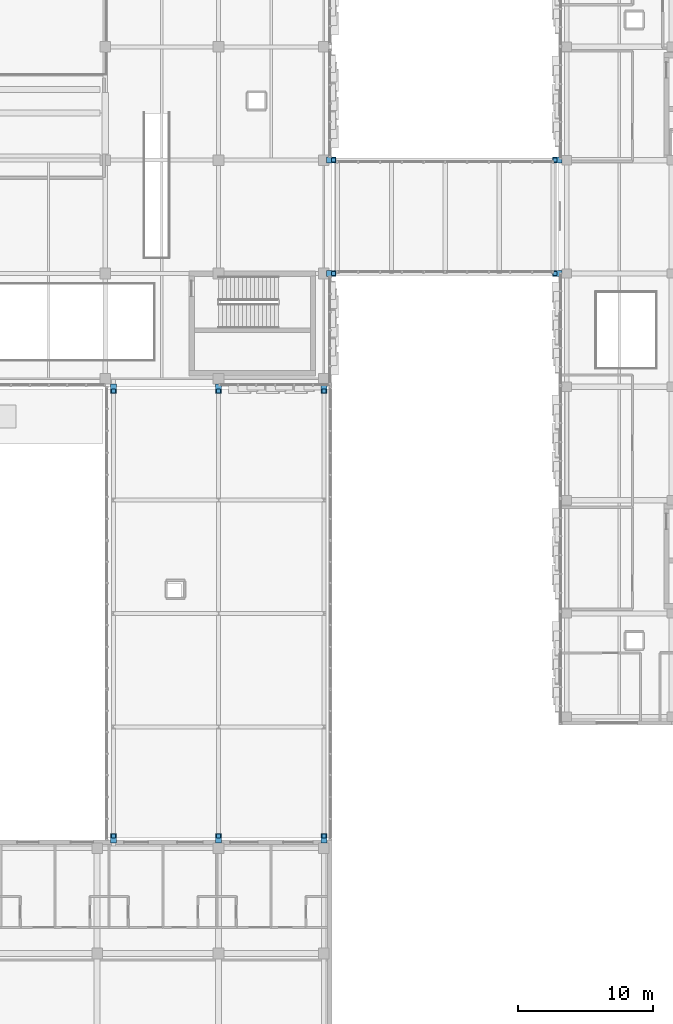
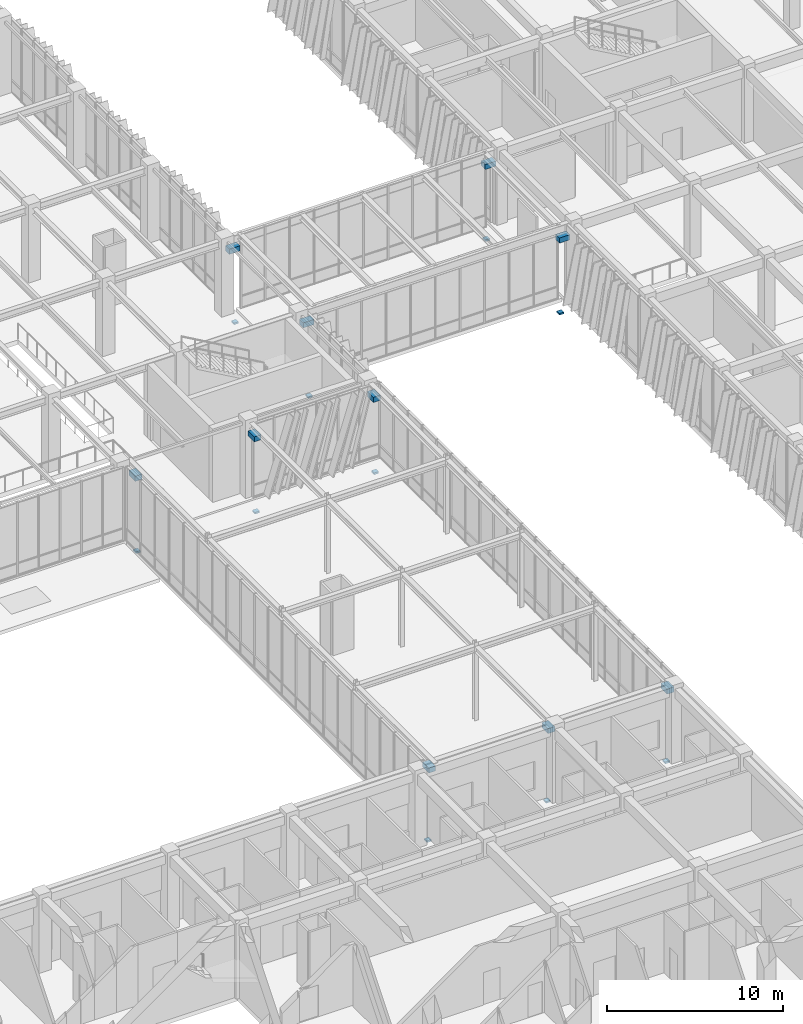
# One storey, part 123 of 139: 20 discrete accessories.
"""IFC4 building model written with IfcOpenShell, lengths in metres."""

import ifcopenshell
import ifcopenshell.guid

model = None  # the IFC model being written
_history = None  # IfcOwnerHistory: only IFC2X3 demands one
_inside = {}  # id of a spatial element -> (the spatial element, [elements in it])
_under = {}  # id of a project, library or spatial element -> (it, [spatial elements below it])
_declared = {}  # id of a project -> (the project, [libraries it declares])
_typed = {}  # id of a type object -> (the type object, [elements of that type])
_made_of = {}  # id of a material, layer set ... -> (it, [elements and type objects made of it])


def new_model(schema):
    """Start an empty IFC model of exactly this schema.

    Asked for "IFC4X3", IfcOpenShell would pick the latest addendum, in which some entities
    have other attributes; the version numbers below select the first issue.
    IFC2X3 requires an IfcOwnerHistory on every rooted entity: one is made here for all.
    """
    global model, _history
    if schema == "IFC4X3":
        model = ifcopenshell.file(schema_version=(4, 3, 0, 0))
    else:
        model = ifcopenshell.file(schema=schema)
    _inside.clear()
    _under.clear()
    _declared.clear()
    _typed.clear()
    _made_of.clear()
    _history = None
    if model.schema == "IFC2X3":
        org = make("IfcOrganization", Name="unknown")
        user = make(
            "IfcPersonAndOrganization",
            ThePerson=make("IfcPerson", FamilyName="unknown"),
            TheOrganization=org,
        )
        app = make(
            "IfcApplication",
            ApplicationDeveloper=org,
            Version="unknown",
            ApplicationFullName="unknown",
            ApplicationIdentifier="unknown",
        )
        _history = make(
            "IfcOwnerHistory",
            OwningUser=user,
            OwningApplication=app,
            ChangeAction="ADDED",
            CreationDate=0,
        )
    return model


def make(cls, **values):
    """One entity of the class cls with the attributes given. An attribute that is None is left unset."""
    return model.create_entity(
        cls, **{name: value for name, value in values.items() if value is not None}
    )


def rooted(cls, **values):
    """An entity with a GlobalId (a new one), such as an element, a storey or a relation."""
    return make(cls, GlobalId=ifcopenshell.guid.new(), OwnerHistory=_history, **values)


def si_unit(unit_type, name, prefix=None):
    """IfcSIUnit, for example si_unit("LENGTHUNIT", "METRE", prefix="MILLI")."""
    return make("IfcSIUnit", UnitType=unit_type, Prefix=prefix, Name=name)


def assignment(units):
    """IfcUnitAssignment: the units of a project."""
    return None if units is None else make("IfcUnitAssignment", Units=units)


def point(xyz):
    """IfcCartesianPoint."""
    return None if xyz is None else make("IfcCartesianPoint", Coordinates=xyz)


def direction(xyz):
    """IfcDirection."""
    return None if xyz is None else make("IfcDirection", DirectionRatios=xyz)


def frame(location, z_axis=None, x_axis=None):
    """IfcAxis2Placement3D, a coordinate frame: its origin and axes. An axis left out is left unset."""
    return make(
        "IfcAxis2Placement3D",
        Location=point(location),
        Axis=direction(z_axis),
        RefDirection=direction(x_axis),
    )


def frame_2d(location, x_axis=None):
    """IfcAxis2Placement2D, a coordinate frame in the plane: its origin and x axis."""
    return make(
        "IfcAxis2Placement2D", Location=point(location), RefDirection=direction(x_axis)
    )


def origin():
    """The frame at (0, 0, 0) with its axes left unset."""
    return frame((0.0, 0.0, 0.0))


def origin_2d():
    """The frame at (0, 0) in the plane with its x axis left unset."""
    return frame_2d((0.0, 0.0))


def place(relative_to, where):
    """IfcLocalPlacement: puts the frame where relative to a parent placement (None: the world)."""
    return make(
        "IfcLocalPlacement", PlacementRelTo=relative_to, RelativePlacement=where
    )


def context(
    kind, dimensions, precision=None, world=None, true_north=None, identifier=None
):
    """IfcGeometricRepresentationContext, for example the 3D "Model" context."""
    return make(
        "IfcGeometricRepresentationContext",
        ContextIdentifier=identifier,
        ContextType=kind,
        CoordinateSpaceDimension=dimensions,
        Precision=precision,
        WorldCoordinateSystem=world,
        TrueNorth=true_north,
    )


def subcontext(parent, identifier, kind, view, scale=None):
    """IfcGeometricRepresentationSubContext, for example "Body" below "Model"."""
    return make(
        "IfcGeometricRepresentationSubContext",
        ContextIdentifier=identifier,
        ContextType=kind,
        ParentContext=parent,
        TargetScale=scale,
        TargetView=view,
    )


def project(units=None, contexts=None):
    """IfcProject with its units and contexts."""
    return rooted(
        "IfcProject",
        Name="project",
        RepresentationContexts=contexts,
        UnitsInContext=assignment(units),
    )


def spatial(cls, under=None, at=None, **own):
    """A site, building, storey or space (cls), placed at a placement, below another one or the project."""
    s = rooted(cls, ObjectPlacement=at, **own)
    if under is not None:
        _under.setdefault(under.id(), (under, []))[1].append(s)
    return s


def profile(cls, at=None, kind="AREA", **sizes):
    """A parametric profile (cls). Its sizes go by their IFC names, for example OverallWidth=200.0."""
    return make(cls, ProfileType=kind, Position=at, **sizes)


def rectangle(**sizes):
    """IfcRectangleProfileDef."""
    return profile("IfcRectangleProfileDef", **sizes)


def extrude(swept, where, along, depth):
    """IfcExtrudedAreaSolid: the profile swept, set in the frame where, extruded along a direction by depth."""
    return make(
        "IfcExtrudedAreaSolid",
        SweptArea=swept,
        Position=where,
        ExtrudedDirection=direction(along),
        Depth=depth,
    )


def shape(context_of_items, identifier, shape_type, items):
    """IfcShapeRepresentation: the items that make up one representation, for example the "Body"."""
    return make(
        "IfcShapeRepresentation",
        ContextOfItems=context_of_items,
        RepresentationIdentifier=identifier,
        RepresentationType=shape_type,
        Items=items,
    )


def material(Name=None, Category=None):
    """IfcMaterial."""
    return make("IfcMaterial", Name=Name, Category=Category)


def made_of(thing, what):
    """Note that an element or type object is made of a material, layer set ...; save() writes the relation."""
    if what is not None:
        _made_of.setdefault(what.id(), (what, []))[1].append(thing)
    return thing


def type_object(cls, material=None, **own):
    """A type object (cls), such as IfcWallType, which elements share."""
    return made_of(rooted(cls, **own), material)


def element(
    cls,
    number,
    at=None,
    inside=None,
    cuts=None,
    type_object=None,
    material=None,
    context=None,
    identifier="Body",
    shape_type=None,
    held_by="IfcProductDefinitionShape",
    body=None,
    shapes=None,
    **own,
):
    """One element of the class cls, such as IfcWall. Its Tag is "e" and its number.

    at: its placement. inside: the storey or other place that contains it. cuts: it is an
    opening in that element (IfcRelVoidsElement). A single representation is given by context,
    identifier, shape_type and body (its items); several are given by shapes. held_by: the class
    of the entity that holds the representations. save() writes the other relations.
    """
    e = rooted(cls, Tag="e%d" % number, ObjectPlacement=at, **own)
    if body is not None:
        shapes = [shape(context, identifier, shape_type, body)]
    if shapes is not None:
        e.Representation = make(held_by, Representations=shapes)
    if inside is not None:
        _inside.setdefault(inside.id(), (inside, []))[1].append(e)
    if cuts is not None:
        rooted(
            "IfcRelVoidsElement", RelatingBuildingElement=cuts, RelatedOpeningElement=e
        )
    if type_object is not None:
        _typed.setdefault(type_object.id(), (type_object, []))[1].append(e)
    return made_of(e, material)


def aggregate(whole, parts):
    """IfcRelAggregates: a whole, such as a stair, and the parts it consists of."""
    return rooted("IfcRelAggregates", RelatingObject=whole, RelatedObjects=parts)


def save(model, path):
    """Write the relations noted so far, then the file.

    IfcRelAggregates (storeys below a building ...), IfcRelContainedInSpatialStructure (elements
    in a storey), IfcRelDefinesByType, IfcRelAssociatesMaterial and IfcRelDeclares: one each for
    every whole, place, type object, material and project.
    """
    for whole, parts in _under.values():
        aggregate(whole, parts)
    for where, things in _inside.values():
        rooted(
            "IfcRelContainedInSpatialStructure",
            RelatedElements=things,
            RelatingStructure=where,
        )
    for kind, things in _typed.values():
        rooted("IfcRelDefinesByType", RelatedObjects=things, RelatingType=kind)
    for what, things in _made_of.values():
        rooted("IfcRelAssociatesMaterial", RelatedObjects=things, RelatingMaterial=what)
    for by, libraries in _declared.values():
        rooted("IfcRelDeclares", RelatingContext=by, RelatedDefinitions=libraries)
    model.write(path)


model = new_model("IFC4")

# Units and contexts
model_context = context("Model", 3, precision=1e-05, world=origin(), true_north=direction((0.0, 1.0)))
body_context = subcontext(model_context, "Body", "Model", "MODEL_VIEW")
ifc_project = project(units=[si_unit("LENGTHUNIT", "METRE"), si_unit("AREAUNIT", "SQUARE_METRE"), si_unit("VOLUMEUNIT", "CUBIC_METRE"), si_unit("PLANEANGLEUNIT", "RADIAN"), si_unit("MASSUNIT", "GRAM", prefix="KILO")], contexts=[model_context])

# Site, building, storey
site_placement = place(None, origin())
site = spatial("IfcSite", under=ifc_project, at=site_placement, CompositionType="ELEMENT")
building_placement = place(site_placement, origin())
building = spatial("IfcBuilding", under=site, at=building_placement, Name="Zayran Congress Hotel", CompositionType="ELEMENT")
storey_placement = place(building_placement, frame((0.0, 0.0, 5.39990234375)))
storey = spatial("IfcBuildingStorey", under=building, at=storey_placement, Name="L01", CompositionType="ELEMENT", Elevation=5.39990234375)

# Discrete accessories
ifc_material_1 = material(Name="Steel S355", Category="steel")
discrete_accessory_type_1 = type_object("IfcDiscreteAccessoryType", Name="TP-PTFE-BRG", PredefinedType="USERDEFINED", material=ifc_material_1)
for number, where, z_axis, x_axis, name in (
    (1, (92.5, 76.0, -1.010009765625), (0.0, 0.0, 1.0), (1.0, 0.0, 0.0), "Unguided 2D Free PTFE Sliding Bearing 1"),
    (2, (108.949951171875, 76.0, -1.010009765625), (0.0, 0.0, 1.0), (1.0, 0.0, 0.0), "Unguided 2D Free PTFE Sliding Bearing 2"),
    (3, (92.5, 84.39990234375, -1.010009765625), (0.0, 0.0, 1.0), (1.0, 0.0, 0.0), "Unguided 2D Free PTFE Sliding Bearing 3"),
    (4, (108.949951171875, 84.39990234375, -1.010009765625), (0.0, 0.0, 1.0), (1.0, 0.0, 0.0), "Unguided 2D Free PTFE Sliding Bearing 4"),
    (5, (76.199951171875, 34.300048828125, -0.77001953125), (0.0, 0.0, 1.0), (1.0, 0.0, 0.0), "Unguided 2D Free PTFE Sliding Bearing 19"),
    (6, (76.199951171875, 67.300048828125, -0.77001953125), (0.0, 0.0, 1.0), (1.0, 0.0, 0.0), "Unguided 2D Free PTFE Sliding Bearing 20"),
    (7, (84.0, 34.300048828125, -0.77001953125), (0.0, 0.0, 1.0), (1.0, 0.0, 0.0), "Unguided 2D Free PTFE Sliding Bearing 21"),
    (8, (84.0, 67.300048828125, -0.77001953125), (0.0, 0.0, 1.0), (1.0, 0.0, 0.0), "Unguided 2D Free PTFE Sliding Bearing 22"),
    (9, (91.800048828125, 34.300048828125, -0.77001953125), (0.0, 0.0, 1.0), (1.0, 0.0, 0.0), "Unguided 2D Free PTFE Sliding Bearing 23"),
    (10, (91.800048828125, 67.300048828125, -0.77001953125), (0.0, 0.0, 1.0), (1.0, 0.0, 0.0), "Unguided 2D Free PTFE Sliding Bearing 24"),
):
    element("IfcDiscreteAccessory", number, at=place(storey_placement, frame(where, z_axis=z_axis, x_axis=x_axis)), inside=storey, type_object=discrete_accessory_type_1, Name=name, ObjectType="SLIDING BEARING", PredefinedType="USERDEFINED", context=body_context, shape_type="SweptSolid", body=[
        extrude(rectangle(XDim=0.300048828125, YDim=0.300048828125, at=origin_2d()), origin(), (0.0, 0.0, 1.0), 0.1201171875),
    ])
ifc_material_2 = material(Name="Concrete C40/50", Category="concrete")
discrete_accessory_type_2 = type_object("IfcDiscreteAccessoryType", Name="TP-CRB-650", PredefinedType="BRACKET", material=ifc_material_2)
for number, where, z_axis, x_axis, name in (
    (11, (92.35009765625, 76.0, 4.0400390625), (0.0, 0.0, 1.0), (1.0, 0.0, 0.0), "Skybridge 700mm RC Corbel Seat 5"),
    (12, (109.10009765625, 76.0, 4.0400390625), (0.0, 0.0, 1.0), (1.0, 0.0, 0.0), "Skybridge 700mm RC Corbel Seat 6"),
    (13, (92.35009765625, 84.39990234375, 4.0400390625), (0.0, 0.0, 1.0), (1.0, 0.0, 0.0), "Skybridge 700mm RC Corbel Seat 7"),
    (14, (109.10009765625, 84.39990234375, 4.0400390625), (0.0, 0.0, 1.0), (1.0, 0.0, 0.0), "Skybridge 700mm RC Corbel Seat 8"),
    (15, (76.199951171875, 34.14990234375, 4.2900390625), (0.0, 0.0, 1.0), (0.0, 1.0, 0.0), "Forecourt Gallery 700mm RC Corbel Seat 25"),
    (16, (76.199951171875, 67.449951171875, 4.2900390625), (0.0, 0.0, 1.0), (0.0, 1.0, 0.0), "Forecourt Gallery 700mm RC Corbel Seat 26"),
    (17, (84.0, 34.14990234375, 4.2900390625), (0.0, 0.0, 1.0), (0.0, 1.0, 0.0), "Forecourt Gallery 700mm RC Corbel Seat 27"),
    (18, (84.0, 67.449951171875, 4.2900390625), (0.0, 0.0, 1.0), (0.0, 1.0, 0.0), "Forecourt Gallery 700mm RC Corbel Seat 28"),
    (19, (91.800048828125, 34.14990234375, 4.2900390625), (0.0, 0.0, 1.0), (0.0, 1.0, 0.0), "Forecourt Gallery 700mm RC Corbel Seat 29"),
    (20, (91.800048828125, 67.449951171875, 4.2900390625), (0.0, 0.0, 1.0), (0.0, 1.0, 0.0), "Forecourt Gallery 700mm RC Corbel Seat 30"),
):
    element("IfcDiscreteAccessory", number, at=place(storey_placement, frame(where, z_axis=z_axis, x_axis=x_axis)), inside=storey, type_object=discrete_accessory_type_2, Name=name, PredefinedType="BRACKET", context=body_context, shape_type="SweptSolid", body=[
        extrude(rectangle(XDim=0.699951171875, YDim=0.449951171875, at=origin_2d()), origin(), (0.0, 0.0, 1.0), 0.35009765625),
    ])

save(model, "model.ifc")
